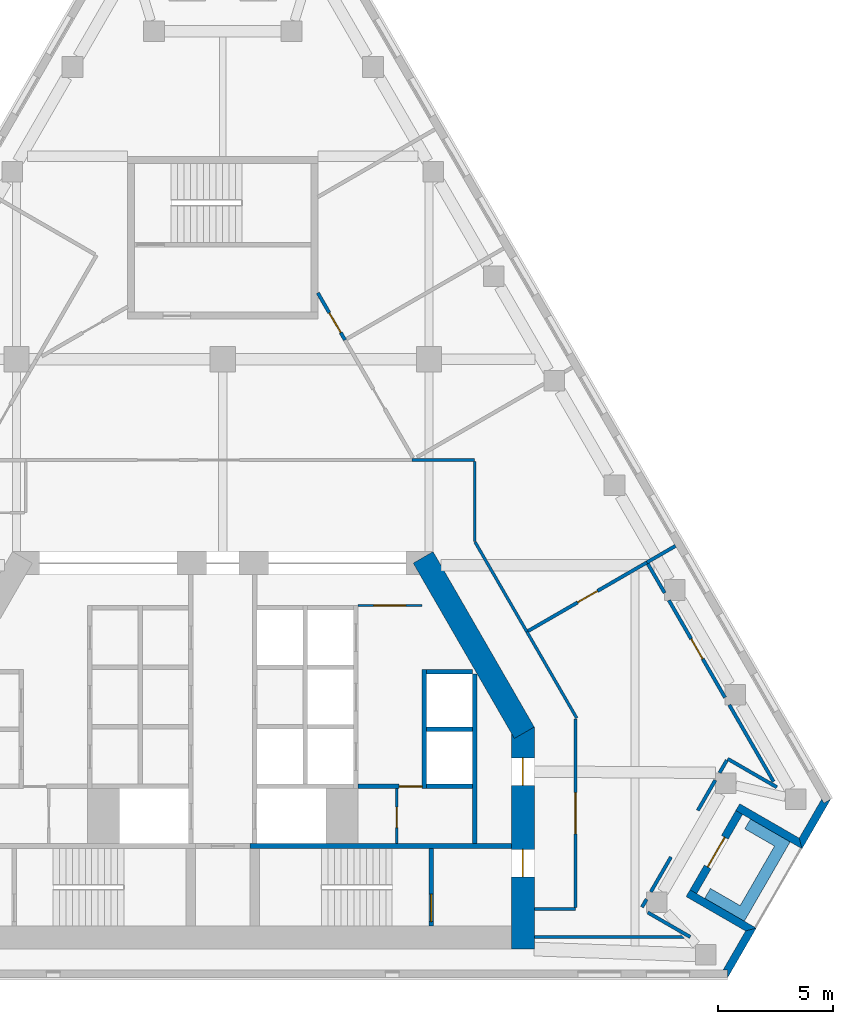
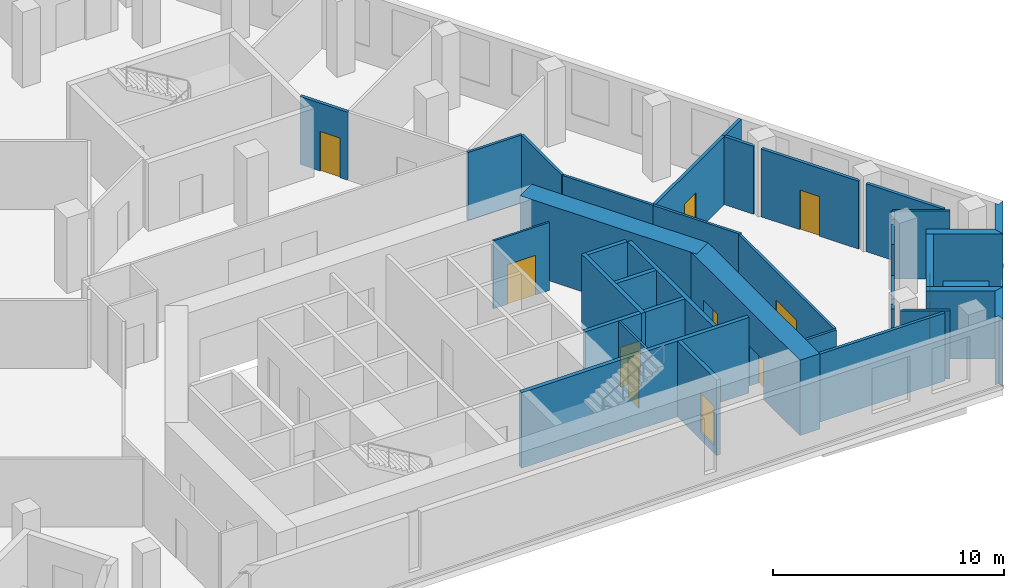
# One storey, part 5 of 8: 37 walls, 11 doors, 11 openings.
"""IFC4 building model written with IfcOpenShell, lengths in metres."""

from ifc_helpers import new_model, si_unit, direction, frame, frame_2d, origin, place, context, subcontext, project, spatial, polyline, rectangle, outline, extrude, material, layer, layer_set, type_object, element, fill, save


model = new_model("IFC4")

# Units and contexts
model_context = context("Model", 3, precision=1e-05, world=origin(), true_north=direction((0.0, 1.0)))
body_context = subcontext(model_context, "Body", "Model", "MODEL_VIEW")
ifc_project = project(units=[si_unit("LENGTHUNIT", "METRE"), si_unit("AREAUNIT", "SQUARE_METRE"), si_unit("VOLUMEUNIT", "CUBIC_METRE"), si_unit("PLANEANGLEUNIT", "RADIAN"), si_unit("MASSUNIT", "GRAM", prefix="KILO")], contexts=[model_context])

# Site, building, storey
site_placement = place(None, origin())
site = spatial("IfcSite", under=ifc_project, at=site_placement, CompositionType="ELEMENT")
building_placement = place(site_placement, origin())
building = spatial("IfcBuilding", under=site, at=building_placement, Name="Fogline Exchange Tower", CompositionType="ELEMENT")
storey_placement = place(building_placement, frame((0.0, 0.0, 235.5)))
storey = spatial("IfcBuildingStorey", under=building, at=storey_placement, Name="L53", CompositionType="ELEMENT", Elevation=235.5)

# Wall, opening, door
ifc_material_1 = material(Name="Blockwork partition", Category="masonry")
ifc_layer_1 = layer(ifc_material_1, 0.10009765625)
ifc_layer_set_1 = layer_set([ifc_layer_1], Name="CW10")
wall_type_1 = type_object("IfcWallType", Name="CW10", PredefinedType="PARTITIONING", material=ifc_layer_set_1)
wall_1_placement = place(storey_placement, frame((5.89990234375, 16.25, 0.0), z_axis=(0.0, 0.0, 1.0), x_axis=(1.0, 0.0, 0.0)))
wall_1 = element("IfcWall", 1, at=wall_1_placement, inside=storey, type_object=wall_type_1, Name="Lift lobby partition", PredefinedType="PARTITIONING", context=body_context, shape_type="SweptSolid", body=[
    extrude(rectangle(XDim=2.800048828125, YDim=0.10009765625, at=frame_2d((1.39990234375, 0.0))), origin(), (0.0, 0.0, 1.0), 3.60009765625),
])
opening_1_placement = place(wall_1_placement, frame((0.699951171875, 0.0, 0.0)))
opening_1 = element("IfcOpeningElement", 2, at=opening_1_placement, cuts=wall_1, Name="Opening T17-C016", PredefinedType="OPENING", context=body_context, shape_type="SweptSolid", body=[
    extrude(rectangle(XDim=1.39990234375, YDim=2.10009765625, at=frame_2d((0.699951171875, 1.050048828125))), frame((0.0, 0.06005859375, 0.0), z_axis=(0.0, -1.0, 0.0), x_axis=(1.0, 0.0, 0.0)), (0.0, 0.0, 1.0), 0.1201171875),
])
ifc_material_2 = material(Name="Steel and timber fire door", Category="steel")
door_type_1 = type_object("IfcDoorType", Name="D-LB1", OperationType="DOUBLE_DOOR_SINGLE_SWING", PredefinedType="DOOR", material=ifc_material_2)
door_1_placement = place(opening_1_placement, origin())
door_1 = element("IfcDoor", 3, at=door_1_placement, inside=storey, type_object=door_type_1, Name="Door to lift lobby", OperationType="DOUBLE_DOOR_SINGLE_SWING", OverallHeight=2.10009765625, OverallWidth=1.39990234375, PredefinedType="DOOR", context=body_context, shape_type="SweptSolid", body=[
    extrude(rectangle(XDim=1.39990234375, YDim=2.10009765625, at=frame_2d((0.699951171875, 1.050048828125))), frame((0.0, 0.02490234375, 0.0), z_axis=(0.0, -1.0, 0.0), x_axis=(1.0, 0.0, 0.0)), (0.0, 0.0, 1.0), 0.050048828125),
])
fill(opening_1, door_1)

wall_2_placement = place(storey_placement, frame((7.60009765625, 5.85009765625, 0.0), z_axis=(0.0, 0.0, 1.0), x_axis=(0.0, 1.0, 0.0)))
wall_2 = element("IfcWall", 4, at=wall_2_placement, inside=storey, type_object=wall_type_1, Name="WC partition", PredefinedType="PARTITIONING", context=body_context, shape_type="SweptSolid", body=[
    extrude(rectangle(XDim=2.39990234375, YDim=0.10009765625, at=frame_2d((1.199951171875, 0.0))), origin(), (0.0, 0.0, 1.0), 3.60009765625),
])
opening_2_placement = place(wall_2_placement, frame((0.699951171875, 0.0, 0.0)))
opening_2 = element("IfcOpeningElement", 5, at=opening_2_placement, cuts=wall_2, Name="Opening T17-C018", PredefinedType="OPENING", context=body_context, shape_type="SweptSolid", body=[
    extrude(rectangle(XDim=0.89990234375, YDim=2.10009765625, at=frame_2d((0.449951171875, 1.050048828125))), frame((0.0, 0.06005859375, 0.0), z_axis=(0.0, -1.0, 0.0), x_axis=(1.0, 0.0, 0.0)), (0.0, 0.0, 1.0), 0.1201171875),
])
door_type_2 = type_object("IfcDoorType", Name="D-CS1", OperationType="SINGLE_SWING_RIGHT", PredefinedType="DOOR", material=ifc_material_2)
door_2_placement = place(opening_2_placement, origin())
door_2 = element("IfcDoor", 6, at=door_2_placement, inside=storey, type_object=door_type_2, Name="Door to Cleaner's Store", OperationType="SINGLE_SWING_LEFT", OverallHeight=2.10009765625, OverallWidth=0.89990234375, PredefinedType="DOOR", context=body_context, shape_type="SweptSolid", body=[
    extrude(rectangle(XDim=0.89990234375, YDim=2.10009765625, at=frame_2d((0.449951171875, 1.050048828125))), frame((0.0, 0.02490234375, 0.0), z_axis=(0.0, -1.0, 0.0), x_axis=(1.0, 0.0, 0.0)), (0.0, 0.0, 1.0), 0.050048828125),
])
fill(opening_2, door_2)

# Wall
ifc_material_3 = material(Name="Concrete C40", Category="concrete")
ifc_layer_2 = layer(ifc_material_3, 0.199951171875)
ifc_layer_set_2 = layer_set([ifc_layer_2], Name="CW20")
wall_type_2 = type_object("IfcWallType", Name="CW20", PredefinedType="SOLIDWALL", material=ifc_layer_set_2)
wall_3_placement = place(storey_placement, frame((11.0, 5.85009765625, 0.0), z_axis=(0.0, 0.0, 1.0), x_axis=(0.0, 1.0, 0.0)))
element("IfcWall", 7, at=wall_3_placement, inside=storey, type_object=wall_type_2, Name="Service room wall", PredefinedType="SOLIDWALL", context=body_context, shape_type="SweptSolid", body=[
    extrude(rectangle(XDim=7.39990234375, YDim=0.199951171875, at=frame_2d((3.699951171875, 0.0))), origin(), (0.0, 0.0, 1.0), 3.60009765625),
])

# Wall, opening, door
wall_4_placement = place(storey_placement, frame((5.89990234375, 8.35009765625, 0.0), z_axis=(0.0, 0.0, 1.0), x_axis=(1.0, 0.0, 0.0)))
wall_4 = element("IfcWall", 8, at=wall_4_placement, inside=storey, type_object=wall_type_2, Name="WC wall", PredefinedType="SOLIDWALL", context=body_context, shape_type="SweptSolid", body=[
    extrude(rectangle(XDim=2.800048828125, YDim=0.199951171875, at=frame_2d((1.39990234375, 0.0))), origin(), (0.0, 0.0, 1.0), 3.60009765625),
])
opening_3_placement = place(wall_4_placement, frame((1.800048828125, 0.0, 0.0)))
opening_3 = element("IfcOpeningElement", 9, at=opening_3_placement, cuts=wall_4, Name="Opening T17-C017", PredefinedType="OPENING", context=body_context, shape_type="SweptSolid", body=[
    extrude(rectangle(XDim=1.0, YDim=2.10009765625, at=frame_2d((0.5, 1.050048828125))), frame((0.0, 0.10986328125, 0.0), z_axis=(0.0, -1.0, 0.0), x_axis=(1.0, 0.0, 0.0)), (0.0, 0.0, 1.0), 0.219970703125),
])
door_type_3 = type_object("IfcDoorType", Name="D-WC1", OperationType="SINGLE_SWING_LEFT", PredefinedType="DOOR", material=ifc_material_2)
door_3_placement = place(opening_3_placement, frame((1.0, 0.0, 0.0), z_axis=(0.0, 0.0, 1.0), x_axis=(-1.0, 0.0, 0.0)))
door_3 = element("IfcDoor", 10, at=door_3_placement, inside=storey, type_object=door_type_3, Name="Door to Women's WC", OperationType="SINGLE_SWING_LEFT", OverallHeight=2.10009765625, OverallWidth=1.0, PredefinedType="DOOR", context=body_context, shape_type="SweptSolid", body=[
    extrude(rectangle(XDim=1.0, YDim=2.10009765625, at=frame_2d((0.5, 1.050048828125))), frame((0.0, 0.02490234375, 0.0), z_axis=(0.0, -1.0, 0.0), x_axis=(1.0, 0.0, 0.0)), (0.0, 0.0, 1.0), 0.050048828125),
])
fill(opening_3, door_3)

# Wall
ifc_layer_3 = layer(ifc_material_3, 0.199951171875)
ifc_layer_set_3 = layer_set([ifc_layer_3], Name="CW20R")
wall_type_3 = type_object("IfcWallType", Name="CW20R", PredefinedType="SOLIDWALL", material=ifc_layer_set_3)
wall_5_placement = place(storey_placement, frame((1.199951171875, 5.75, -0.39990234375), z_axis=(0.0, 0.0, 1.0), x_axis=(1.0, 0.0, 0.0)))
element("IfcWall", 11, at=wall_5_placement, inside=storey, type_object=wall_type_3, Name="Stair enclosure wall", PredefinedType="SOLIDWALL", context=body_context, shape_type="SweptSolid", body=[
    extrude(rectangle(XDim=11.400146484375, YDim=0.199951171875, at=frame_2d((5.7001953125, 0.0))), origin(), (0.0, 0.0, 1.0), 4.0),
])

# Wall, opening, door
wall_6_placement = place(storey_placement, frame((9.10009765625, 2.25, -0.39990234375), z_axis=(0.0, 0.0, 1.0), x_axis=(0.0, 1.0, 0.0)))
wall_6 = element("IfcWall", 12, at=wall_6_placement, inside=storey, type_object=wall_type_3, Name="Stair enclosure wall", PredefinedType="SOLIDWALL", context=body_context, shape_type="SweptSolid", body=[
    extrude(rectangle(XDim=3.39990234375, YDim=0.199951171875, at=frame_2d((1.699951171875, 0.0))), origin(), (0.0, 0.0, 1.0), 4.0),
])
opening_4_placement = place(wall_6_placement, frame((0.199951171875, 0.0, 0.39990234375)))
opening_4 = element("IfcOpeningElement", 13, at=opening_4_placement, cuts=wall_6, Name="Opening T17-C020", PredefinedType="OPENING", context=body_context, shape_type="SweptSolid", body=[
    extrude(rectangle(XDim=1.199951171875, YDim=2.10009765625, at=frame_2d((0.60009765625, 1.050048828125))), frame((0.0, 0.10986328125, 0.0), z_axis=(0.0, -1.0, 0.0), x_axis=(1.0, 0.0, 0.0)), (0.0, 0.0, 1.0), 0.219970703125),
])
door_type_4 = type_object("IfcDoorType", Name="D-ST1", OperationType="SINGLE_SWING_LEFT", PredefinedType="DOOR", material=ifc_material_2)
door_4_placement = place(opening_4_placement, origin())
door_4 = element("IfcDoor", 14, at=door_4_placement, inside=storey, type_object=door_type_4, Name="Stair door ST2", OperationType="SINGLE_SWING_LEFT", OverallHeight=2.10009765625, OverallWidth=1.199951171875, PredefinedType="DOOR", context=body_context, shape_type="SweptSolid", body=[
    extrude(rectangle(XDim=1.199951171875, YDim=2.10009765625, at=frame_2d((0.60009765625, 1.050048828125))), frame((0.0, 0.02490234375, 0.0), z_axis=(0.0, -1.0, 0.0), x_axis=(1.0, 0.0, 0.0)), (0.0, 0.0, 1.0), 0.050048828125),
])
fill(opening_4, door_4)

# Walls
ifc_layer_4 = layer(ifc_material_3, 0.199951171875)
ifc_layer_set_4 = layer_set([ifc_layer_4], Name="CW20S")
wall_type_4 = type_object("IfcWallType", Name="CW20S", PredefinedType="SOLIDWALL", material=ifc_layer_set_4)
wall_7_placement = place(storey_placement, frame((8.800048828125, 8.25, -0.39990234375), z_axis=(0.0, 0.0, 1.0), x_axis=(0.0, 1.0, 0.0)))
element("IfcWall", 15, at=wall_7_placement, inside=storey, type_object=wall_type_4, Name="Lift shaft wall", PredefinedType="SOLIDWALL", context=body_context, shape_type="SweptSolid", body=[
    extrude(rectangle(XDim=5.199951171875, YDim=0.199951171875, at=frame_2d((2.60009765625, 0.0))), origin(), (0.0, 0.0, 1.0), 4.0),
])
for number, where, z_axis, x_axis, name in (
    (16, (8.89990234375, 8.35009765625, -0.39990234375), (0.0, 0.0, 1.0), (1.0, 0.0, 0.0), "Lift shaft wall"),
    (17, (8.89990234375, 10.85009765625, -0.39990234375), (0.0, 0.0, 1.0), (1.0, 0.0, 0.0), "Lift shaft wall"),
    (18, (8.89990234375, 13.35009765625, -0.39990234375), (0.0, 0.0, 1.0), (1.0, 0.0, 0.0), "Lift shaft wall"),
):
    element("IfcWall", number, at=place(storey_placement, frame(where, z_axis=z_axis, x_axis=x_axis)), inside=storey, type_object=wall_type_4, Name=name, PredefinedType="SOLIDWALL", context=body_context, shape_type="SweptSolid", body=[
        extrude(rectangle(XDim=2.0, YDim=0.199951171875, at=frame_2d((1.0, 0.0))), origin(), (0.0, 0.0, 1.0), 4.0),
    ])
ifc_material_4 = material(Name="Brick masonry", Category="masonry")
ifc_layer_5 = layer(ifc_material_4, 0.340087890625)
ifc_layer_set_5 = layer_set([ifc_layer_5], Name="FW1")
wall_type_5 = type_object("IfcWallType", Name="FW1", PredefinedType="SOLIDWALL", material=ifc_layer_set_5)
wall_8_placement = place(storey_placement, origin())
element("IfcWall", 19, at=wall_8_placement, inside=storey, type_object=wall_type_5, Name="Brick wall L53 SE-c1", PredefinedType="SOLIDWALL", context=body_context, shape_type="SweptSolid", body=[
    extrude(outline(polyline([(23.292724609375, 2.165771484375), (22.041748046875, -0.001220703125), (22.041259765625, -0.0009765625), (22.041259765625, 0.33935546875), (21.844482421875, 0.33935546875), (22.826904296875, 2.041015625), (23.29248046875, 2.166015625), (23.292724609375, 2.165771484375)])), origin(), (0.0, 0.0, 1.0), 3.60009765625),
])
wall_9_placement = place(storey_placement, origin())
element("IfcWall", 20, at=wall_9_placement, inside=storey, type_object=wall_type_5, Name="Brick wall L53 SE-s1", PredefinedType="SOLIDWALL", context=body_context, shape_type="SweptSolid", body=[
    extrude(outline(polyline([(20.228515625, 3.540283203125), (20.39892578125, 3.8359375), (20.694091796875, 3.66552734375), (23.29296875, 2.1650390625), (23.29296875, 2.164794921875), (22.8271484375, 2.0400390625), (20.228515625, 3.540283203125)])), origin(), (0.0, 0.0, 1.0), 3.60009765625),
])

# Wall, opening, door
wall_10_placement = place(storey_placement, frame((20.54638671875, 3.75, 0.0), z_axis=(0.0, 0.0, 1.0), x_axis=(0.49999894854, 0.866026010844, 0.0)))
wall_10 = element("IfcWall", 21, at=wall_10_placement, inside=storey, type_object=wall_type_5, Name="Brick wall L53 SE-bk", PredefinedType="SOLIDWALL", context=body_context, shape_type="SweptSolid", body=[
    extrude(rectangle(XDim=4.0, YDim=0.340087890625, at=frame_2d((2.0, 0.0))), origin(), (0.0, 0.0, 1.0), 3.60009765625),
])
opening_5_placement = place(wall_10_placement, frame((1.25, 0.0, 0.0)))
opening_5 = element("IfcOpeningElement", 22, at=opening_5_placement, cuts=wall_10, Name="Opening T17-E081", PredefinedType="OPENING", context=body_context, shape_type="SweptSolid", body=[
    extrude(rectangle(XDim=1.5, YDim=2.39990234375, at=frame_2d((0.75, 1.199951171875))), frame((0.0, 0.18017578125, 0.0), z_axis=(0.0, -1.0, 0.0), x_axis=(1.0, 0.0, 0.0)), (0.0, 0.0, 1.0), 0.360107421875),
])
ifc_material_5 = material(Name="Aluminium and glass", Category="aluminium")
door_type_5 = type_object("IfcDoorType", Name="ED4", OperationType="SINGLE_SWING_LEFT", PredefinedType="DOOR", material=ifc_material_5)
door_5_placement = place(opening_5_placement, frame((1.5, 0.0, 0.0), z_axis=(0.0, 0.0, 1.0), x_axis=(-1.0, 0.0, 0.0)))
door_5 = element("IfcDoor", 23, at=door_5_placement, inside=storey, type_object=door_type_5, Name="Balcony door L53 SE", OperationType="DOUBLE_DOOR_SINGLE_SWING", OverallHeight=2.39990234375, OverallWidth=1.5, PredefinedType="DOOR", context=body_context, shape_type="SweptSolid", body=[
    extrude(rectangle(XDim=1.5, YDim=2.39990234375, at=frame_2d((0.75, 1.199951171875))), frame((0.0, 0.02490234375, 0.0), z_axis=(0.0, -1.0, 0.0), x_axis=(1.0, 0.0, 0.0)), (0.0, 0.0, 1.0), 0.050048828125),
])
fill(opening_5, door_5)

# Walls
wall_11_placement = place(storey_placement, origin())
element("IfcWall", 24, at=wall_11_placement, inside=storey, type_object=wall_type_5, Name="Brick wall L53 SE-s2", PredefinedType="SOLIDWALL", context=body_context, shape_type="SweptSolid", body=[
    extrude(outline(polyline([(25.292236328125, 5.628173828125), (22.693359375, 7.128662109375), (22.3984375, 7.298828125), (22.569091796875, 7.594482421875), (25.167724609375, 6.093994140625), (25.29248046875, 5.62841796875), (25.292236328125, 5.628173828125)])), origin(), (0.0, 0.0, 1.0), 3.60009765625),
])
wall_12_placement = place(storey_placement, origin())
element("IfcWall", 25, at=wall_12_placement, inside=storey, type_object=wall_type_5, Name="Brick wall L53 SE-c2", PredefinedType="SOLIDWALL", context=body_context, shape_type="SweptSolid", body=[
    extrude(outline(polyline([(26.149169921875, 7.79541015625), (26.24755859375, 7.625), (26.54248046875, 7.79541015625), (26.542724609375, 7.794921875), (25.291748046875, 5.6279296875), (25.29150390625, 5.6279296875), (25.166748046875, 6.09375), (26.149169921875, 7.79541015625)])), origin(), (0.0, 0.0, 1.0), 3.60009765625),
])
ifc_material_6 = material(Name="Concrete C30", Category="concrete")
ifc_layer_6 = layer(ifc_material_6, 0.199951171875)
ifc_layer_set_6 = layer_set([ifc_layer_6], Name="PL1")
wall_type_6 = type_object("IfcWallType", Name="PL1", PredefinedType="USERDEFINED", material=ifc_layer_set_6)
wall_13_placement = place(storey_placement, origin())
element("IfcWall", 26, at=wall_13_placement, inside=storey, type_object=wall_type_6, Name="PLANTER balcony L53 SE", ObjectType="PLANTER", PredefinedType="USERDEFINED", context=body_context, shape_type="SweptSolid", body=[
    extrude(outline(polyline([(21.0400390625, 3.465087890625), (22.339111328125, 2.715087890625), (22.339111328125, 2.715087890625), (22.772216796875, 2.465087890625), (24.522216796875, 5.49609375), (24.772216796875, 5.92919921875), (23.0400390625, 6.92919921875), (22.7900390625, 6.49609375), (24.089111328125, 5.74609375), (22.589111328125, 3.148193359375), (21.2900390625, 3.898193359375), (21.0400390625, 3.465087890625)])), origin(), (0.0, 0.0, 1.0), 1.10009765625),
])
ifc_material_7 = material(Name="Plasterboard corridor partition with mineral wool, 2 layers each side")
ifc_layer_7 = layer(ifc_material_7, 0.125)
ifc_layer_set_7 = layer_set([ifc_layer_7], Name="PW2")
wall_type_7 = type_object("IfcWallType", Name="PW2", PredefinedType="PARTITIONING", material=ifc_layer_set_7)
wall_14_placement = place(storey_placement, frame((11.015380859375, 19.02197265625, 0.0), z_axis=(0.0, 0.0, 1.0), x_axis=(0.50001679657, -0.866015706063, 0.0)))
element("IfcWall", 27, at=wall_14_placement, inside=storey, type_object=wall_type_7, Name="wall-L53-W001", PredefinedType="PARTITIONING", context=body_context, shape_type="SweptSolid", body=[
    extrude(rectangle(XDim=4.523193359375, YDim=0.125, at=frame_2d((2.26171875, 0.0))), origin(), (0.0, 0.0, 1.0), 3.60009765625),
])
wall_15_placement = place(storey_placement, frame((13.277099609375, 15.104736328125, 0.0), z_axis=(0.0, 0.0, 1.0), x_axis=(0.500010417683, -0.866019389049, 0.0)))
element("IfcWall", 28, at=wall_15_placement, inside=storey, type_object=wall_type_7, Name="wall-L53-W002", PredefinedType="PARTITIONING", context=body_context, shape_type="SweptSolid", body=[
    extrude(rectangle(XDim=4.3544921875, YDim=0.125, at=frame_2d((2.17724609375, 0.0))), origin(), (0.0, 0.0, 1.0), 3.60009765625),
])

# Wall, opening, door
wall_16_placement = place(storey_placement, frame((15.39990234375, 11.302734375, 0.0), z_axis=(0.0, 0.0, 1.0), x_axis=(0.0, -1.0, 0.0)))
wall_16 = element("IfcWall", 29, at=wall_16_placement, inside=storey, type_object=wall_type_7, Name="wall-L53-W003", PredefinedType="PARTITIONING", context=body_context, shape_type="SweptSolid", body=[
    extrude(rectangle(XDim=8.240234375, YDim=0.125, at=frame_2d((4.1201171875, 0.0))), origin(), (0.0, 0.0, 1.0), 3.60009765625),
])
opening_6_placement = place(wall_16_placement, frame((3.22021484375, 0.0, 0.0)))
opening_6 = element("IfcOpeningElement", 30, at=opening_6_placement, cuts=wall_16, Name="Opening T17-D001", PredefinedType="OPENING", context=body_context, shape_type="SweptSolid", body=[
    extrude(rectangle(XDim=1.800048828125, YDim=2.10009765625, at=frame_2d((0.89990234375, 1.050048828125))), frame((0.0, 0.072509765625, 0.0), z_axis=(0.0, -1.0, 0.0), x_axis=(1.0, 0.0, 0.0)), (0.0, 0.0, 1.0), 0.14501953125),
])
ifc_material_8 = material(Name="Fire-rated timber door leaves with steel frame", Category="steel")
door_type_6 = type_object("IfcDoorType", Name="D4", OperationType="DOUBLE_DOOR_SINGLE_SWING", PredefinedType="DOOR", material=ifc_material_8)
door_6_placement = place(opening_6_placement, frame((1.800048828125, 0.0, 0.0), z_axis=(0.0, 0.0, 1.0), x_axis=(-1.0, 0.0, 0.0)))
door_6 = element("IfcDoor", 31, at=door_6_placement, inside=storey, type_object=door_type_6, Name="door-L53-D001", OperationType="DOUBLE_DOOR_SINGLE_SWING", OverallHeight=2.10009765625, OverallWidth=1.800048828125, PredefinedType="DOOR", context=body_context, shape_type="SweptSolid", body=[
    extrude(rectangle(XDim=1.800048828125, YDim=2.10009765625, at=frame_2d((0.89990234375, 1.050048828125))), frame((0.0, 0.02490234375, 0.0), z_axis=(0.0, -1.0, 0.0), x_axis=(1.0, 0.0, 0.0)), (0.0, 0.0, 1.0), 0.050048828125),
])
fill(opening_6, door_6)

# Walls
wall_17_placement = place(storey_placement, frame((15.39990234375, 3.0, 0.0), z_axis=(0.0, 0.0, 1.0), x_axis=(-1.0, 0.0, 0.0)))
element("IfcWall", 32, at=wall_17_placement, inside=storey, type_object=wall_type_7, Name="wall-L53-W004", PredefinedType="PARTITIONING", context=body_context, shape_type="SweptSolid", body=[
    extrude(rectangle(XDim=1.7998046875, YDim=0.125, at=frame_2d((0.89990234375, 0.0))), origin(), (0.0, 0.0, 1.0), 3.60009765625),
])
wall_18_placement = place(storey_placement, frame((8.25927734375, 22.60009765625, 0.0), z_axis=(0.0, 0.0, 1.0), x_axis=(1.0, 0.0, 0.0)))
element("IfcWall", 33, at=wall_18_placement, inside=storey, type_object=wall_type_7, Name="wall-L53-W005", PredefinedType="PARTITIONING", context=body_context, shape_type="SweptSolid", body=[
    extrude(rectangle(XDim=2.74072265625, YDim=0.125, at=frame_2d((1.370361328125, 0.0))), origin(), (0.0, 0.0, 1.0), 3.60009765625),
])
wall_19_placement = place(storey_placement, frame((11.0, 22.53759765625, 0.0), z_axis=(0.0, 0.0, 1.0), x_axis=(0.0, -1.0, 0.0)))
element("IfcWall", 34, at=wall_19_placement, inside=storey, type_object=wall_type_7, Name="wall-L53-W006", PredefinedType="PARTITIONING", context=body_context, shape_type="SweptSolid", body=[
    extrude(rectangle(XDim=3.489013671875, YDim=0.125, at=frame_2d((1.74462890625, 0.0))), origin(), (0.0, 0.0, 1.0), 3.60009765625),
])
ifc_material_9 = material(Name="Plasterboard demising partition with mineral wool and acoustic board")
ifc_layer_8 = layer(ifc_material_9, 0.14990234375)
ifc_layer_set_8 = layer_set([ifc_layer_8], Name="PW3")
wall_type_8 = type_object("IfcWallType", Name="PW3", PredefinedType="PARTITIONING", material=ifc_layer_set_8)
wall_20_placement = place(storey_placement, frame((19.765625, 18.850830078125, 0.0), z_axis=(0.0, 0.0, 1.0), x_axis=(-0.866038426532, -0.499977443261, 0.0)))
element("IfcWall", 35, at=wall_20_placement, inside=storey, type_object=wall_type_8, Name="wall-L53-W017", PredefinedType="PARTITIONING", context=body_context, shape_type="SweptSolid", body=[
    extrude(rectangle(XDim=1.4365234375, YDim=0.14990234375, at=frame_2d((0.71826171875, 0.0))), origin(), (0.0, 0.0, 1.0), 3.60009765625),
])

# Wall, opening, door
wall_21_placement = place(storey_placement, frame((18.521484375, 18.132568359375, 0.0), z_axis=(0.0, 0.0, 1.0), x_axis=(-0.866023452362, -0.500003379947, 0.0)))
wall_21 = element("IfcWall", 36, at=wall_21_placement, inside=storey, type_object=wall_type_8, Name="wall-L53-W018", PredefinedType="PARTITIONING", context=body_context, shape_type="SweptSolid", body=[
    extrude(rectangle(XDim=5.9931640625, YDim=0.14990234375, at=frame_2d((2.99658203125, 0.0))), origin(), (0.0, 0.0, 1.0), 3.60009765625),
])
opening_7_placement = place(wall_21_placement, frame((2.49658203125, 0.0, 0.0)))
opening_7 = element("IfcOpeningElement", 37, at=opening_7_placement, cuts=wall_21, Name="Opening T17-D007", PredefinedType="OPENING", context=body_context, shape_type="SweptSolid", body=[
    extrude(rectangle(XDim=1.0, YDim=2.10009765625, at=frame_2d((0.5, 1.050048828125))), frame((0.0, 0.0849609375, 0.0), z_axis=(0.0, -1.0, 0.0), x_axis=(1.0, 0.0, 0.0)), (0.0, 0.0, 1.0), 0.169921875),
])
ifc_material_10 = material(Name="Fire-rated timber door leaf with steel frame", Category="steel")
door_type_7 = type_object("IfcDoorType", Name="D3", OperationType="SINGLE_SWING_LEFT", PredefinedType="DOOR", material=ifc_material_10)
door_7_placement = place(opening_7_placement, frame((1.0, 0.0, 0.0), z_axis=(0.0, 0.0, 1.0), x_axis=(-1.0, 0.0, 0.0)))
door_7 = element("IfcDoor", 38, at=door_7_placement, inside=storey, type_object=door_type_7, Name="door-L53-D007", OperationType="SINGLE_SWING_RIGHT", OverallHeight=2.10009765625, OverallWidth=1.0, PredefinedType="DOOR", context=body_context, shape_type="SweptSolid", body=[
    extrude(rectangle(XDim=1.0, YDim=2.10009765625, at=frame_2d((0.5, 1.050048828125))), frame((0.0, 0.02490234375, 0.0), z_axis=(0.0, -1.0, 0.0), x_axis=(1.0, 0.0, 0.0)), (0.0, 0.0, 1.0), 0.050048828125),
])
fill(opening_7, door_7)

wall_22_placement = place(storey_placement, frame((5.33740234375, 27.84130859375, 0.0), z_axis=(0.0, 0.0, 1.0), x_axis=(-0.500030943131, 0.866007538022, 0.0)))
wall_22 = element("IfcWall", 39, at=wall_22_placement, inside=storey, type_object=wall_type_8, Name="wall-L53-W022", PredefinedType="PARTITIONING", context=body_context, shape_type="SweptSolid", body=[
    extrude(rectangle(XDim=2.374755859375, YDim=0.14990234375, at=frame_2d((1.1875, 0.0))), origin(), (0.0, 0.0, 1.0), 3.60009765625),
])
opening_8_placement = place(wall_22_placement, frame((0.369384765625, 0.0, 0.0)))
opening_8 = element("IfcOpeningElement", 40, at=opening_8_placement, cuts=wall_22, Name="Opening T17-D009", PredefinedType="OPENING", context=body_context, shape_type="SweptSolid", body=[
    extrude(rectangle(XDim=1.0, YDim=2.10009765625, at=frame_2d((0.5, 1.050048828125))), frame((0.0, 0.0849609375, 0.0), z_axis=(0.0, -1.0, 0.0), x_axis=(1.0, 0.0, 0.0)), (0.0, 0.0, 1.0), 0.169921875),
])
door_8_placement = place(opening_8_placement, frame((1.0, 0.0, 0.0), z_axis=(0.0, 0.0, 1.0), x_axis=(-1.0, 0.0, 0.0)))
door_8 = element("IfcDoor", 41, at=door_8_placement, inside=storey, type_object=door_type_7, Name="door-L53-D009", OperationType="SINGLE_SWING_RIGHT", OverallHeight=2.10009765625, OverallWidth=1.0, PredefinedType="DOOR", context=body_context, shape_type="SweptSolid", body=[
    extrude(rectangle(XDim=1.0, YDim=2.10009765625, at=frame_2d((0.5, 1.050048828125))), frame((0.0, 0.02490234375, 0.0), z_axis=(0.0, -1.0, 0.0), x_axis=(1.0, 0.0, 0.0)), (0.0, 0.0, 1.0), 0.050048828125),
])
fill(opening_8, door_8)

# Walls
wall_23_placement = place(storey_placement, frame((13.60009765625, 1.776611328125, 0.0), z_axis=(0.0, 0.0, 1.0), x_axis=(1.0, 0.0, 0.0)))
element("IfcWall", 42, at=wall_23_placement, inside=storey, type_object=wall_type_8, Name="wall-L53-W035", PredefinedType="PARTITIONING", context=body_context, shape_type="SweptSolid", body=[
    extrude(rectangle(XDim=6.53125, YDim=0.14990234375, at=frame_2d((3.265625, 0.0))), origin(), (0.0, 0.0, 1.0), 3.60009765625),
])
wall_24_placement = place(storey_placement, frame((20.41162109375, 1.776611328125, 0.0), z_axis=(0.0, 0.0, 1.0), x_axis=(-0.866028272008, 0.499995032058, 0.0)))
element("IfcWall", 43, at=wall_24_placement, inside=storey, type_object=wall_type_8, Name="wall-L53-W036", PredefinedType="PARTITIONING", context=body_context, shape_type="SweptSolid", body=[
    extrude(rectangle(XDim=2.14501953125, YDim=0.14990234375, at=frame_2d((1.072509765625, 0.0))), origin(), (0.0, 0.0, 1.0), 3.60009765625),
])
wall_25_placement = place(storey_placement, frame((18.304443359375, 3.079833984375, 0.0), z_axis=(0.0, 0.0, 1.0), x_axis=(0.500389020248, 0.86580068631, 0.0)))
element("IfcWall", 44, at=wall_25_placement, inside=storey, type_object=wall_type_8, Name="wall-L53-W037", PredefinedType="PARTITIONING", context=body_context, shape_type="SweptSolid", body=[
    extrude(rectangle(XDim=0.401611328125, YDim=0.14990234375, at=frame_2d((0.20068359375, 0.0))), origin(), (0.0, 0.0, 1.0), 3.60009765625),
])
wall_26_placement = place(storey_placement, frame((18.69091796875, 3.7490234375, 0.0), z_axis=(0.0, 0.0, 1.0), x_axis=(0.499927324528, 0.866067358922, 0.0)))
element("IfcWall", 45, at=wall_26_placement, inside=storey, type_object=wall_type_8, Name="wall-L53-W038", PredefinedType="PARTITIONING", context=body_context, shape_type="SweptSolid", body=[
    extrude(rectangle(XDim=1.753662109375, YDim=0.14990234375, at=frame_2d((0.876953125, 0.0))), origin(), (0.0, 0.0, 1.0), 3.60009765625),
])
wall_27_placement = place(storey_placement, frame((20.74267578125, 7.302978515625, 0.0), z_axis=(0.0, 0.0, 1.0), x_axis=(0.50006423267, 0.865988315859, 0.0)))
element("IfcWall", 46, at=wall_27_placement, inside=storey, type_object=wall_type_8, Name="wall-L53-W039", PredefinedType="PARTITIONING", context=body_context, shape_type="SweptSolid", body=[
    extrude(rectangle(XDim=1.525146484375, YDim=0.14990234375, at=frame_2d((0.7626953125, 0.0))), origin(), (0.0, 0.0, 1.0), 3.60009765625),
])
wall_28_placement = place(storey_placement, frame((21.69091796875, 8.9453125, 0.0), z_axis=(0.0, 0.0, 1.0), x_axis=(0.499890179513, 0.866088799389, 0.0)))
element("IfcWall", 47, at=wall_28_placement, inside=storey, type_object=wall_type_8, Name="wall-L53-W040", PredefinedType="PARTITIONING", context=body_context, shape_type="SweptSolid", body=[
    extrude(rectangle(XDim=0.630126953125, YDim=0.14990234375, at=frame_2d((0.31494140625, 0.0))), origin(), (0.0, 0.0, 1.0), 3.60009765625),
])
wall_29_placement = place(storey_placement, frame((22.04345703125, 9.555908203125, 0.0), z_axis=(0.0, 0.0, 1.0), x_axis=(0.866026347786, -0.499998364937, 0.0)))
element("IfcWall", 48, at=wall_29_placement, inside=storey, type_object=wall_type_8, Name="wall-L53-W041", PredefinedType="PARTITIONING", context=body_context, shape_type="SweptSolid", body=[
    extrude(rectangle(XDim=2.4765625, YDim=0.14990234375, at=frame_2d((1.23828125, 0.0))), origin(), (0.0, 0.0, 1.0), 3.60009765625),
])
wall_30_placement = place(storey_placement, frame((24.048095703125, 8.560546875, 0.0), z_axis=(0.0, 0.0, 1.0), x_axis=(-0.500001053386, 0.866024795611, 0.0)))
element("IfcWall", 49, at=wall_30_placement, inside=storey, type_object=wall_type_8, Name="wall-L53-W042", PredefinedType="PARTITIONING", context=body_context, shape_type="SweptSolid", body=[
    extrude(rectangle(XDim=3.86865234375, YDim=0.14990234375, at=frame_2d((1.934326171875, 0.0))), origin(), (0.0, 0.0, 1.0), 3.60009765625),
])

# Wall, opening, door
wall_31_placement = place(storey_placement, frame((21.92822265625, 12.232177734375, 0.0), z_axis=(0.0, 0.0, 1.0), x_axis=(-0.500001252094, 0.866024680886, 0.0)))
wall_31 = element("IfcWall", 50, at=wall_31_placement, inside=storey, type_object=wall_type_8, Name="wall-L53-W043", PredefinedType="PARTITIONING", context=body_context, shape_type="SweptSolid", body=[
    extrude(rectangle(XDim=4.90185546875, YDim=0.14990234375, at=frame_2d((2.450927734375, 0.0))), origin(), (0.0, 0.0, 1.0), 3.60009765625),
])
opening_9_placement = place(wall_31_placement, frame((1.950927734375, 0.0, 0.0)))
opening_9 = element("IfcOpeningElement", 51, at=opening_9_placement, cuts=wall_31, Name="Opening T17-D012", PredefinedType="OPENING", context=body_context, shape_type="SweptSolid", body=[
    extrude(rectangle(XDim=1.0, YDim=2.10009765625, at=frame_2d((0.5, 1.050048828125))), frame((0.0, 0.0849609375, 0.0), z_axis=(0.0, -1.0, 0.0), x_axis=(1.0, 0.0, 0.0)), (0.0, 0.0, 1.0), 0.169921875),
])
door_9_placement = place(opening_9_placement, frame((1.0, 0.0, 0.0), z_axis=(0.0, 0.0, 1.0), x_axis=(-1.0, 0.0, 0.0)))
door_9 = element("IfcDoor", 52, at=door_9_placement, inside=storey, type_object=door_type_7, Name="door-L53-D012", OperationType="SINGLE_SWING_RIGHT", OverallHeight=2.10009765625, OverallWidth=1.0, PredefinedType="DOOR", context=body_context, shape_type="SweptSolid", body=[
    extrude(rectangle(XDim=1.0, YDim=2.10009765625, at=frame_2d((0.5, 1.050048828125))), frame((0.0, 0.02490234375, 0.0), z_axis=(0.0, -1.0, 0.0), x_axis=(1.0, 0.0, 0.0)), (0.0, 0.0, 1.0), 0.050048828125),
])
fill(opening_9, door_9)

# Wall
wall_32_placement = place(storey_placement, frame((19.291748046875, 16.798583984375, 0.0), z_axis=(0.0, 0.0, 1.0), x_axis=(-0.499991665488, 0.866030215664, 0.0)))
element("IfcWall", 53, at=wall_32_placement, inside=storey, type_object=wall_type_8, Name="wall-L53-W044", PredefinedType="PARTITIONING", context=body_context, shape_type="SweptSolid", body=[
    extrude(rectangle(XDim=1.46533203125, YDim=0.14990234375, at=frame_2d((0.732666015625, 0.0))), origin(), (0.0, 0.0, 1.0), 3.60009765625),
])

# Wall, openings, doors
ifc_material_11 = material(Name="Concrete C60", Category="concrete")
ifc_layer_9 = layer(ifc_material_11, 1.0)
ifc_layer_set_9 = layer_set([ifc_layer_9], Name="SW03")
wall_type_9 = type_object("IfcWallType", Name="SW03", PredefinedType="SHEAR", material=ifc_layer_set_9)
wall_33_placement = place(storey_placement, frame((13.10009765625, 1.25, 0.0), z_axis=(0.0, 0.0, 1.0), x_axis=(0.0, 1.0, 0.0)))
wall_33 = element("IfcWall", 54, at=wall_33_placement, inside=storey, type_object=wall_type_9, Name="L53-W902", PredefinedType="SHEAR", context=body_context, shape_type="SweptSolid", body=[
    extrude(rectangle(XDim=9.6953125, YDim=1.0, at=frame_2d((4.84765625, 0.0))), origin(), (0.0, 0.0, 1.0), 4.0),
])
opening_10_placement = place(wall_33_placement, frame((3.14990234375, 0.0, 0.0)))
opening_10 = element("IfcOpeningElement", 55, at=opening_10_placement, cuts=wall_33, Name="Opening T17-C019", PredefinedType="OPENING", context=body_context, shape_type="SweptSolid", body=[
    extrude(rectangle(XDim=1.199951171875, YDim=2.10009765625, at=frame_2d((0.60009765625, 1.050048828125))), frame((0.0, 0.510009765625, 0.0), z_axis=(0.0, -1.0, 0.0), x_axis=(1.0, 0.0, 0.0)), (0.0, 0.0, 1.0), 1.02001953125),
])
opening_11_placement = place(wall_33_placement, frame((7.14990234375, 0.0, 0.0)))
opening_11 = element("IfcOpeningElement", 56, at=opening_11_placement, cuts=wall_33, Name="Opening T17-C021", PredefinedType="OPENING", context=body_context, shape_type="SweptSolid", body=[
    extrude(rectangle(XDim=1.199951171875, YDim=2.10009765625, at=frame_2d((0.60009765625, 1.050048828125))), frame((0.0, 0.510009765625, 0.0), z_axis=(0.0, -1.0, 0.0), x_axis=(1.0, 0.0, 0.0)), (0.0, 0.0, 1.0), 1.02001953125),
])
door_type_8 = type_object("IfcDoorType", Name="D-FR1", OperationType="SINGLE_SWING_RIGHT", PredefinedType="DOOR", material=ifc_material_2)
door_10_placement = place(opening_10_placement, origin())
door_10 = element("IfcDoor", 57, at=door_10_placement, inside=storey, type_object=door_type_8, Name="Front room door ST2", OperationType="SINGLE_SWING_RIGHT", OverallHeight=2.10009765625, OverallWidth=1.199951171875, PredefinedType="DOOR", context=body_context, shape_type="SweptSolid", body=[
    extrude(rectangle(XDim=1.199951171875, YDim=2.10009765625, at=frame_2d((0.60009765625, 1.050048828125))), frame((0.0, 0.02490234375, 0.0), z_axis=(0.0, -1.0, 0.0), x_axis=(1.0, 0.0, 0.0)), (0.0, 0.0, 1.0), 0.050048828125),
])
fill(opening_10, door_10)
door_type_9 = type_object("IfcDoorType", Name="D-SV1", OperationType="SINGLE_SWING_LEFT", PredefinedType="DOOR", material=ifc_material_2)
door_11_placement = place(opening_11_placement, origin())
door_11 = element("IfcDoor", 58, at=door_11_placement, inside=storey, type_object=door_type_9, Name="Service door E", OperationType="SINGLE_SWING_RIGHT", OverallHeight=2.10009765625, OverallWidth=1.199951171875, PredefinedType="DOOR", context=body_context, shape_type="SweptSolid", body=[
    extrude(rectangle(XDim=1.199951171875, YDim=2.10009765625, at=frame_2d((0.60009765625, 1.050048828125))), frame((0.0, 0.02490234375, 0.0), z_axis=(0.0, -1.0, 0.0), x_axis=(1.0, 0.0, 0.0)), (0.0, 0.0, 1.0), 0.050048828125),
])
fill(opening_11, door_11)

# Wall
wall_34_placement = place(storey_placement, frame((13.1669921875, 10.6953125, 0.0), z_axis=(0.0, 0.0, 1.0), x_axis=(-0.499995021168, 0.866028278295, 0.0)))
element("IfcWall", 59, at=wall_34_placement, inside=storey, type_object=wall_type_9, Name="L53-W903", PredefinedType="SHEAR", context=body_context, shape_type="SweptSolid", body=[
    extrude(rectangle(XDim=8.8388671875, YDim=1.0, at=frame_2d((4.41943359375, 0.0))), origin(), (0.0, 0.0, 1.0), 4.0),
])

save(model, "model.ifc")
